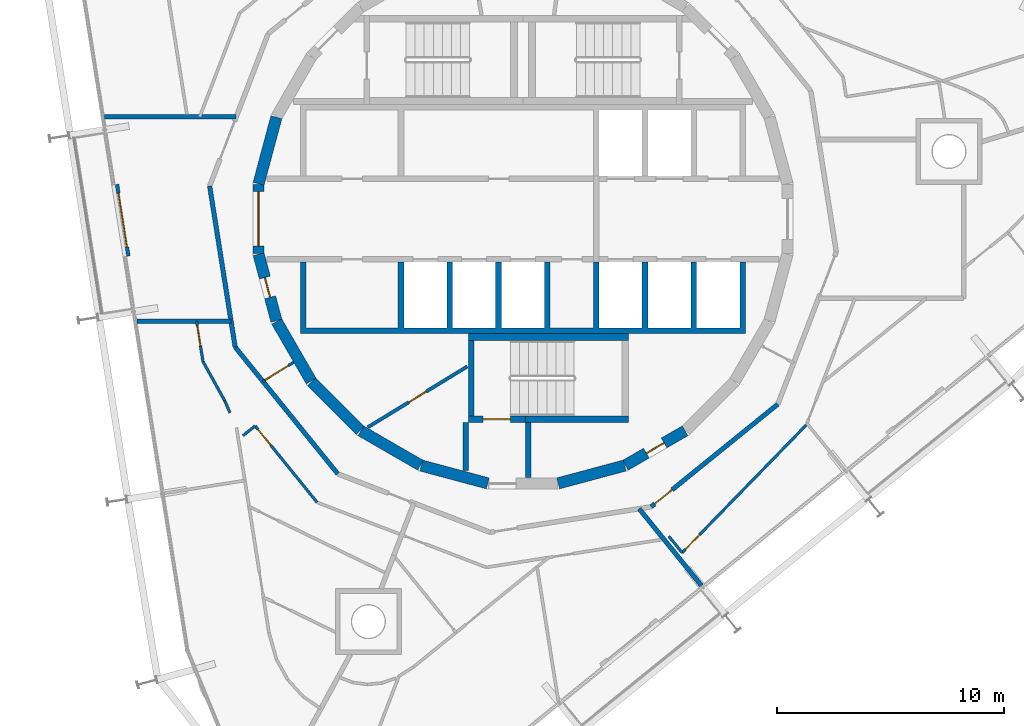
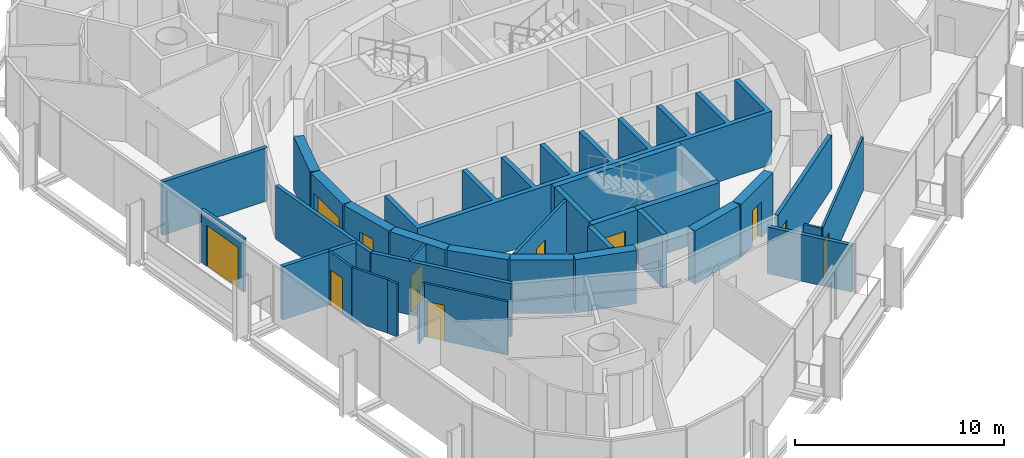
# One storey, part 12 of 17: 32 walls, 11 doors, 11 openings.
"""IFC4 building model written with IfcOpenShell, lengths in metres."""

from ifc_helpers import new_model, si_unit, direction, frame, frame_2d, origin, place, context, subcontext, project, spatial, polyline, rectangle, outline, extrude, material, layer, layer_set, type_object, element, fill, save


model = new_model("IFC4")

# Units and contexts
model_context = context("Model", 3, precision=1e-05, world=origin(), true_north=direction((0.0, 1.0)))
body_context = subcontext(model_context, "Body", "Model", "MODEL_VIEW")
ifc_project = project(units=[si_unit("LENGTHUNIT", "METRE"), si_unit("AREAUNIT", "SQUARE_METRE"), si_unit("VOLUMEUNIT", "CUBIC_METRE"), si_unit("PLANEANGLEUNIT", "RADIAN"), si_unit("MASSUNIT", "GRAM", prefix="KILO")], contexts=[model_context])

# Site, building, storey
site_placement = place(None, origin())
site = spatial("IfcSite", under=ifc_project, at=site_placement, CompositionType="ELEMENT")
building_placement = place(site_placement, origin())
building = spatial("IfcBuilding", under=site, at=building_placement, Name="Spindle Arch Residences", CompositionType="ELEMENT")
storey_placement = place(building_placement, frame((0.0, 0.0, 284.39990234375)))
storey = spatial("IfcBuildingStorey", under=building, at=storey_placement, Name="L73", CompositionType="ELEMENT", Elevation=284.39990234375)

# Wall
ifc_material_1 = material(Name="Concrete C50/60", Category="concrete")
ifc_layer_1 = layer(ifc_material_1, 0.5)
ifc_layer_set_1 = layer_set([ifc_layer_1], Name="Core outline wall 500")
wall_type_1 = type_object("IfcWallType", Name="Core outline wall 500", PredefinedType="SHEAR", material=ifc_layer_set_1)
wall_1_placement = place(storey_placement, frame((1.5498046875, -11.642822265625, 0.0), z_axis=(0.0, 0.0, 1.0), x_axis=(0.965948410781, 0.258734743916, 0.0)))
element("IfcWall", 1, at=wall_1_placement, inside=storey, type_object=wall_type_1, Name="Core outline wall 1", PredefinedType="SHEAR", context=body_context, shape_type="SweptSolid", body=[
    extrude(rectangle(XDim=3.03271484375, YDim=0.5, at=frame_2d((1.516357421875, 0.0))), origin(), (0.0, 0.0, 1.0), 3.1201171875),
])

# Wall, opening, door
wall_2_placement = place(storey_placement, frame((4.510498046875, -10.84521484375, 0.0), z_axis=(0.0, 0.0, 1.0), x_axis=(0.865975092491, 0.500087131594, 0.0)))
wall_2 = element("IfcWall", 2, at=wall_2_placement, inside=storey, type_object=wall_type_1, Name="Core outline wall 2", PredefinedType="SHEAR", context=body_context, shape_type="SweptSolid", body=[
    extrude(rectangle(XDim=3.03271484375, YDim=0.5, at=frame_2d((1.516357421875, 0.0))), origin(), (0.0, 0.0, 1.0), 3.1201171875),
])
opening_1_placement = place(wall_2_placement, frame((1.06640625, 0.0, 0.0)))
opening_1 = element("IfcOpeningElement", 3, at=opening_1_placement, cuts=wall_2, Name="Opening R7C0-WD09", PredefinedType="OPENING", context=body_context, shape_type="SweptSolid", body=[
    extrude(rectangle(XDim=0.89990234375, YDim=2.10009765625, at=frame_2d((0.449951171875, 1.050048828125))), frame((0.0, 0.260009765625, 0.0), z_axis=(0.0, -1.0, 0.0), x_axis=(1.0, 0.0, 0.0)), (0.0, 0.0, 1.0), 0.52001953125),
])
ifc_material_2 = material(Name="Steel, fire-resisting door", Category="steel")
door_type_1 = type_object("IfcDoorType", Name="Service room door 900x2100", OperationType="SINGLE_SWING_LEFT", PredefinedType="DOOR", material=ifc_material_2)
door_1_placement = place(opening_1_placement, origin())
door_1 = element("IfcDoor", 4, at=door_1_placement, inside=storey, type_object=door_type_1, Name="Service room door R7C0-WD09", OperationType="SINGLE_SWING_LEFT", OverallHeight=2.10009765625, OverallWidth=0.89990234375, PredefinedType="DOOR", context=body_context, shape_type="SweptSolid", body=[
    extrude(rectangle(XDim=0.89990234375, YDim=2.10009765625, at=frame_2d((0.449951171875, 1.050048828125))), frame((0.0, 0.02490234375, 0.0), z_axis=(0.0, -1.0, 0.0), x_axis=(1.0, 0.0, 0.0)), (0.0, 0.0, 1.0), 0.050048828125),
])
fill(opening_1, door_1)

# Wall
wall_3_placement = place(storey_placement, frame((-10.858154296875, 4.479248046875, 0.0), z_axis=(0.0, 0.0, 1.0), x_axis=(-0.258734743916, -0.965948410781, 0.0)))
element("IfcWall", 5, at=wall_3_placement, inside=storey, type_object=wall_type_1, Name="Core outline wall 17", PredefinedType="SHEAR", context=body_context, shape_type="SweptSolid", body=[
    extrude(rectangle(XDim=3.03271484375, YDim=0.5, at=frame_2d((1.516357421875, 0.0))), origin(), (0.0, 0.0, 1.0), 3.1201171875),
])

# Wall, opening, door
wall_4_placement = place(storey_placement, frame((-11.647216796875, 1.516357421875, 0.0), z_axis=(0.0, 0.0, 1.0), x_axis=(0.0, -1.0, 0.0)))
wall_4 = element("IfcWall", 6, at=wall_4_placement, inside=storey, type_object=wall_type_1, Name="Core outline wall 18", PredefinedType="SHEAR", context=body_context, shape_type="SweptSolid", body=[
    extrude(rectangle(XDim=3.03271484375, YDim=0.5, at=frame_2d((1.516357421875, 0.0))), origin(), (0.0, 0.0, 1.0), 3.1201171875),
])
opening_2_placement = place(wall_4_placement, frame((0.31640625, 0.0, 0.0)))
opening_2 = element("IfcOpeningElement", 7, at=opening_2_placement, cuts=wall_4, Name="Opening R7C0-LE01", PredefinedType="OPENING", context=body_context, shape_type="SweptSolid", body=[
    extrude(rectangle(XDim=2.39990234375, YDim=2.10009765625, at=frame_2d((1.199951171875, 1.050048828125))), frame((0.0, 0.260009765625, 0.0), z_axis=(0.0, -1.0, 0.0), x_axis=(1.0, 0.0, 0.0)), (0.0, 0.0, 1.0), 0.52001953125),
])
ifc_material_3 = material(Name="Steel, fire-resisting door", Category="steel")
door_type_2 = type_object("IfcDoorType", Name="Lift lobby entrance door 2400x2100", OperationType="DOUBLE_DOOR_SINGLE_SWING", PredefinedType="DOOR", material=ifc_material_3)
door_2_placement = place(opening_2_placement, origin())
door_2 = element("IfcDoor", 8, at=door_2_placement, inside=storey, type_object=door_type_2, Name="Lift lobby entrance door R7C0-LE01", OperationType="DOUBLE_DOOR_SINGLE_SWING", OverallHeight=2.10009765625, OverallWidth=2.39990234375, PredefinedType="DOOR", context=body_context, shape_type="SweptSolid", body=[
    extrude(rectangle(XDim=2.39990234375, YDim=2.10009765625, at=frame_2d((1.199951171875, 1.050048828125))), frame((0.0, 0.02490234375, 0.0), z_axis=(0.0, -1.0, 0.0), x_axis=(1.0, 0.0, 0.0)), (0.0, 0.0, 1.0), 0.050048828125),
])
fill(opening_2, door_2)

wall_5_placement = place(storey_placement, frame((-11.642822265625, -1.5498046875, 0.0), z_axis=(0.0, 0.0, 1.0), x_axis=(0.258734743916, -0.965948410781, 0.0)))
wall_5 = element("IfcWall", 9, at=wall_5_placement, inside=storey, type_object=wall_type_1, Name="Core outline wall 19", PredefinedType="SHEAR", context=body_context, shape_type="SweptSolid", body=[
    extrude(rectangle(XDim=3.03271484375, YDim=0.5, at=frame_2d((1.516357421875, 0.0))), origin(), (0.0, 0.0, 1.0), 3.1201171875),
])
opening_3_placement = place(wall_5_placement, frame((1.06640625, 0.0, 0.0)))
opening_3 = element("IfcOpeningElement", 10, at=opening_3_placement, cuts=wall_5, Name="Opening R7C0-WD10", PredefinedType="OPENING", context=body_context, shape_type="SweptSolid", body=[
    extrude(rectangle(XDim=0.89990234375, YDim=2.10009765625, at=frame_2d((0.449951171875, 1.050048828125))), frame((0.0, 0.260009765625, 0.0), z_axis=(0.0, -1.0, 0.0), x_axis=(1.0, 0.0, 0.0)), (0.0, 0.0, 1.0), 0.52001953125),
])
door_3_placement = place(opening_3_placement, origin())
door_3 = element("IfcDoor", 11, at=door_3_placement, inside=storey, type_object=door_type_1, Name="Service room door R7C0-WD10", OperationType="SINGLE_SWING_RIGHT", OverallHeight=2.10009765625, OverallWidth=0.89990234375, PredefinedType="DOOR", context=body_context, shape_type="SweptSolid", body=[
    extrude(rectangle(XDim=0.89990234375, YDim=2.10009765625, at=frame_2d((0.449951171875, 1.050048828125))), frame((0.0, 0.02490234375, 0.0), z_axis=(0.0, -1.0, 0.0), x_axis=(1.0, 0.0, 0.0)), (0.0, 0.0, 1.0), 0.050048828125),
])
fill(opening_3, door_3)

# Walls
wall_6_placement = place(storey_placement, frame((-10.84521484375, -4.510498046875, 0.0), z_axis=(0.0, 0.0, 1.0), x_axis=(0.500087131594, -0.865975092491, 0.0)))
element("IfcWall", 12, at=wall_6_placement, inside=storey, type_object=wall_type_1, Name="Core outline wall 20", PredefinedType="SHEAR", context=body_context, shape_type="SweptSolid", body=[
    extrude(rectangle(XDim=3.03271484375, YDim=0.5, at=frame_2d((1.516357421875, 0.0))), origin(), (0.0, 0.0, 1.0), 3.1201171875),
])
wall_7_placement = place(storey_placement, frame((-9.30810546875, -7.163818359375, 0.0), z_axis=(0.0, 0.0, 1.0), x_axis=(0.707106781187, -0.707106781187, 0.0)))
element("IfcWall", 13, at=wall_7_placement, inside=storey, type_object=wall_type_1, Name="Core outline wall 21", PredefinedType="SHEAR", context=body_context, shape_type="SweptSolid", body=[
    extrude(rectangle(XDim=3.032470703125, YDim=0.5, at=frame_2d((1.51611328125, 0.0))), origin(), (0.0, 0.0, 1.0), 3.1201171875),
])
for number, where, z_axis, x_axis, name in (
    (14, (-7.13671875, -9.32861328125, 0.0), (0.0, 0.0, 1.0), (0.865975092491, -0.500087131594, 0.0), "Core outline wall 22"),
    (15, (-4.479248046875, -10.858154296875, 0.0), (0.0, 0.0, 1.0), (0.965948410781, -0.258734743916, 0.0), "Core outline wall 23"),
):
    element("IfcWall", number, at=place(storey_placement, frame(where, z_axis=z_axis, x_axis=x_axis)), inside=storey, type_object=wall_type_1, Name=name, PredefinedType="SHEAR", context=body_context, shape_type="SweptSolid", body=[
        extrude(rectangle(XDim=3.03271484375, YDim=0.5, at=frame_2d((1.516357421875, 0.0))), origin(), (0.0, 0.0, 1.0), 3.1201171875),
    ])

# Wall, opening, door
ifc_material_4 = material(Name="Plasterboard on steel studs", Category="steel")
ifc_layer_2 = layer(ifc_material_4, 0.1201171875)
ifc_layer_set_2 = layer_set([ifc_layer_2], Name="Corridor division wall 120")
wall_type_2 = type_object("IfcWallType", Name="Corridor division wall 120", PredefinedType="PARTITIONING", material=ifc_layer_set_2)
wall_8_placement = place(storey_placement, frame((-11.44921875, -7.154296875, 0.0), z_axis=(0.0, 0.0, 1.0), x_axis=(0.848067047543, 0.529888934468, 0.0)))
wall_8 = element("IfcWall", 16, at=wall_8_placement, inside=storey, type_object=wall_type_2, Name="Corridor division wall R7C0-W003", PredefinedType="PARTITIONING", context=body_context, shape_type="SweptSolid", body=[
    extrude(rectangle(XDim=1.595947265625, YDim=0.1201171875, at=frame_2d((0.7978515625, 0.0))), origin(), (0.0, 0.0, 1.0), 3.1201171875),
])
opening_4_placement = place(wall_8_placement, frame((0.1201171875, 0.0, 0.0)))
opening_4 = element("IfcOpeningElement", 17, at=opening_4_placement, cuts=wall_8, Name="Opening R7C0-CD03", PredefinedType="OPENING", context=body_context, shape_type="SweptSolid", body=[
    extrude(rectangle(XDim=1.199951171875, YDim=2.10009765625, at=frame_2d((0.60009765625, 1.050048828125))), frame((0.0, 0.070068359375, 0.0), z_axis=(0.0, -1.0, 0.0), x_axis=(1.0, 0.0, 0.0)), (0.0, 0.0, 1.0), 0.14013671875),
])
ifc_material_5 = material(Name="Steel, fire-resisting door", Category="steel")
door_type_3 = type_object("IfcDoorType", Name="Corridor division door 1200x2100", OperationType="NOTDEFINED", PredefinedType="DOOR", material=ifc_material_5)
door_4_placement = place(opening_4_placement, origin())
door_4 = element("IfcDoor", 18, at=door_4_placement, inside=storey, type_object=door_type_3, Name="Corridor division door R7C0-CD03", OperationType="DOUBLE_DOOR_SINGLE_SWING", OverallHeight=2.10009765625, OverallWidth=1.199951171875, PredefinedType="DOOR", context=body_context, shape_type="SweptSolid", body=[
    extrude(rectangle(XDim=1.199951171875, YDim=2.10009765625, at=frame_2d((0.60009765625, 1.050048828125))), frame((0.0, 0.02490234375, 0.0), z_axis=(0.0, -1.0, 0.0), x_axis=(1.0, 0.0, 0.0)), (0.0, 0.0, 1.0), 0.050048828125),
])
fill(opening_4, door_4)

# Wall
ifc_material_6 = material(Name="Calcium silicate block, plastered")
ifc_layer_3 = layer(ifc_material_6, 0.199951171875)
ifc_layer_set_3 = layer_set([ifc_layer_3], Name="Corridor wall 200")
wall_type_3 = type_object("IfcWallType", Name="Corridor wall 200", PredefinedType="STANDARD", material=ifc_layer_set_3)
wall_9_placement = place(storey_placement, frame((-12.67333984375, -5.642578125, 0.0), z_axis=(0.0, 0.0, 1.0), x_axis=(0.629302871585, -0.777160148113, 0.0)))
element("IfcWall", 19, at=wall_9_placement, inside=storey, type_object=wall_type_3, Name="Corridor wall R7C0-W012", PredefinedType="STANDARD", context=body_context, shape_type="SweptSolid", body=[
    extrude(rectangle(XDim=7.180908203125, YDim=0.199951171875, at=frame_2d((3.59033203125, 0.0))), origin(), (0.0, 0.0, 1.0), 3.1201171875),
])

# Wall, opening, door
wall_10_placement = place(storey_placement, frame((5.642578125, -12.67333984375, 0.0), z_axis=(0.0, 0.0, 1.0), x_axis=(0.777160148113, 0.629302871585, 0.0)))
wall_10 = element("IfcWall", 20, at=wall_10_placement, inside=storey, type_object=wall_type_3, Name="Corridor wall R7C0-W015", PredefinedType="STANDARD", context=body_context, shape_type="SweptSolid", body=[
    extrude(rectangle(XDim=7.180908203125, YDim=0.199951171875, at=frame_2d((3.59033203125, 0.0))), origin(), (0.0, 0.0, 1.0), 3.1201171875),
])
opening_5_placement = place(wall_10_placement, frame((0.199951171875, 0.0, 0.0)))
opening_5 = element("IfcOpeningElement", 21, at=opening_5_placement, cuts=wall_10, Name="Opening R7C0-FD06", PredefinedType="OPENING", context=body_context, shape_type="SweptSolid", body=[
    extrude(rectangle(XDim=1.0, YDim=2.10009765625, at=frame_2d((0.5, 1.050048828125))), frame((0.0, 0.10986328125, 0.0), z_axis=(0.0, -1.0, 0.0), x_axis=(1.0, 0.0, 0.0)), (0.0, 0.0, 1.0), 0.219970703125),
])
ifc_material_7 = material(Name="Timber, fire-resisting door set", Category="wood")
door_type_4 = type_object("IfcDoorType", Name="Flat entrance door 1000x2100", OperationType="NOTDEFINED", PredefinedType="DOOR", material=ifc_material_7)
door_5_placement = place(opening_5_placement, origin())
door_5 = element("IfcDoor", 22, at=door_5_placement, inside=storey, type_object=door_type_4, Name="Flat entrance door R7C0-FD06", OperationType="SINGLE_SWING_LEFT", OverallHeight=2.10009765625, OverallWidth=1.0, PredefinedType="DOOR", context=body_context, shape_type="SweptSolid", body=[
    extrude(rectangle(XDim=1.0, YDim=2.10009765625, at=frame_2d((0.5, 1.050048828125))), frame((0.0, 0.02490234375, 0.0), z_axis=(0.0, -1.0, 0.0), x_axis=(1.0, 0.0, 0.0)), (0.0, 0.0, 1.0), 0.050048828125),
])
fill(opening_5, door_5)

ifc_material_8 = material(Name="Plasterboard on steel studs", Category="steel")
ifc_layer_4 = layer(ifc_material_8, 0.1201171875)
ifc_layer_set_4 = layer_set([ifc_layer_4], Name="Flat partition 120")
wall_type_4 = type_object("IfcWallType", Name="Flat partition 120", PredefinedType="PARTITIONING", material=ifc_layer_set_4)
wall_11_placement = place(storey_placement, frame((-14.373046875, -4.5, 0.0), z_axis=(0.0, 0.0, 1.0), x_axis=(0.156437152886, -0.987687914878, 0.0)))
wall_11 = element("IfcWall", 23, at=wall_11_placement, inside=storey, type_object=wall_type_4, Name="Flat partition R7C0-W067", PredefinedType="PARTITIONING", context=body_context, shape_type="SweptSolid", body=[
    extrude(rectangle(XDim=1.79638671875, YDim=0.1201171875, at=frame_2d((0.898193359375, 0.0))), origin(), (0.0, 0.0, 1.0), 3.1201171875),
])
opening_6_placement = place(wall_11_placement, frame((0.199951171875, 0.0, 0.0)))
opening_6 = element("IfcOpeningElement", 24, at=opening_6_placement, cuts=wall_11, Name="Opening R7C0-ID13", PredefinedType="OPENING", context=body_context, shape_type="SweptSolid", body=[
    extrude(rectangle(XDim=0.89990234375, YDim=2.10009765625, at=frame_2d((0.449951171875, 1.050048828125))), frame((0.0, 0.070068359375, 0.0), z_axis=(0.0, -1.0, 0.0), x_axis=(1.0, 0.0, 0.0)), (0.0, 0.0, 1.0), 0.14013671875),
])
ifc_material_9 = material(Name="Timber door set", Category="wood")
door_type_5 = type_object("IfcDoorType", Name="Room door 900x2100", OperationType="NOTDEFINED", PredefinedType="DOOR", material=ifc_material_9)
door_6_placement = place(opening_6_placement, origin())
door_6 = element("IfcDoor", 25, at=door_6_placement, inside=storey, type_object=door_type_5, Name="Room door R7C0-ID13", OperationType="SINGLE_SWING_RIGHT", OverallHeight=2.10009765625, OverallWidth=0.89990234375, PredefinedType="DOOR", context=body_context, shape_type="SweptSolid", body=[
    extrude(rectangle(XDim=0.89990234375, YDim=2.10009765625, at=frame_2d((0.449951171875, 1.050048828125))), frame((0.0, 0.02490234375, 0.0), z_axis=(0.0, -1.0, 0.0), x_axis=(1.0, 0.0, 0.0)), (0.0, 0.0, 1.0), 0.050048828125),
])
fill(opening_6, door_6)

# Walls
wall_12_placement = place(storey_placement, frame((-14.092041015625, -6.274169921875, 0.0), z_axis=(0.0, 0.0, 1.0), x_axis=(0.484732033151, -0.87466270987, 0.0)))
element("IfcWall", 26, at=wall_12_placement, inside=storey, type_object=wall_type_4, Name="Flat partition R7C0-W068", PredefinedType="PARTITIONING", context=body_context, shape_type="SweptSolid", body=[
    extrude(rectangle(XDim=1.98046875, YDim=0.1201171875, at=frame_2d((0.990234375, 0.0))), origin(), (0.0, 0.0, 1.0), 3.1201171875),
])
wall_13_placement = place(storey_placement, frame((-13.132080078125, -8.00634765625, 0.0), z_axis=(0.0, 0.0, 1.0), x_axis=(0.400176548656, -0.916438066596, 0.0)))
element("IfcWall", 27, at=wall_13_placement, inside=storey, type_object=wall_type_4, Name="Flat partition R7C0-W069", PredefinedType="PARTITIONING", context=body_context, shape_type="SweptSolid", body=[
    extrude(rectangle(XDim=0.578369140625, YDim=0.1201171875, at=frame_2d((0.2890625, 0.0))), origin(), (0.0, 0.0, 1.0), 3.1201171875),
])
wall_14_placement = place(storey_placement, frame((-12.32958984375, -9.544189453125, 0.0), z_axis=(0.0, 0.0, 1.0), x_axis=(0.777046524115, 0.629443166109, 0.0)))
element("IfcWall", 28, at=wall_14_placement, inside=storey, type_object=wall_type_4, Name="Flat partition R7C0-W070", PredefinedType="PARTITIONING", context=body_context, shape_type="SweptSolid", body=[
    extrude(rectangle(XDim=0.68798828125, YDim=0.1201171875, at=frame_2d((0.343994140625, 0.0))), origin(), (0.0, 0.0, 1.0), 3.1201171875),
])

# Wall, opening, door
wall_15_placement = place(storey_placement, frame((-11.794921875, -9.111083984375, 0.0), z_axis=(0.0, 0.0, 1.0), x_axis=(0.62936834401, -0.777107127466, 0.0)))
wall_15 = element("IfcWall", 29, at=wall_15_placement, inside=storey, type_object=wall_type_4, Name="Flat partition R7C0-W071", PredefinedType="PARTITIONING", context=body_context, shape_type="SweptSolid", body=[
    extrude(rectangle(XDim=4.33447265625, YDim=0.1201171875, at=frame_2d((2.167236328125, 0.0))), origin(), (0.0, 0.0, 1.0), 3.1201171875),
])
opening_7_placement = place(wall_15_placement, frame((0.199951171875, 0.0, 0.0)))
opening_7 = element("IfcOpeningElement", 30, at=opening_7_placement, cuts=wall_15, Name="Opening R7C0-ID14", PredefinedType="OPENING", context=body_context, shape_type="SweptSolid", body=[
    extrude(rectangle(XDim=0.89990234375, YDim=2.10009765625, at=frame_2d((0.449951171875, 1.050048828125))), frame((0.0, 0.070068359375, 0.0), z_axis=(0.0, -1.0, 0.0), x_axis=(1.0, 0.0, 0.0)), (0.0, 0.0, 1.0), 0.14013671875),
])
door_7_placement = place(opening_7_placement, origin())
door_7 = element("IfcDoor", 31, at=door_7_placement, inside=storey, type_object=door_type_5, Name="Room door R7C0-ID14", OperationType="SINGLE_SWING_RIGHT", OverallHeight=2.10009765625, OverallWidth=0.89990234375, PredefinedType="DOOR", context=body_context, shape_type="SweptSolid", body=[
    extrude(rectangle(XDim=0.89990234375, YDim=2.10009765625, at=frame_2d((0.449951171875, 1.050048828125))), frame((0.0, 0.02490234375, 0.0), z_axis=(0.0, -1.0, 0.0), x_axis=(1.0, 0.0, 0.0)), (0.0, 0.0, 1.0), 0.050048828125),
])
fill(opening_7, door_7)

# Wall
wall_16_placement = place(storey_placement, frame((6.423583984375, -13.97119140625, 0.0), z_axis=(0.0, 0.0, 1.0), x_axis=(0.629273936268, -0.777183577499, 0.0)))
element("IfcWall", 32, at=wall_16_placement, inside=storey, type_object=wall_type_4, Name="Flat partition R7C0-W091", PredefinedType="PARTITIONING", context=body_context, shape_type="SweptSolid", body=[
    extrude(rectangle(XDim=0.927734375, YDim=0.1201171875, at=frame_2d((0.4638671875, 0.0))), origin(), (0.0, 0.0, 1.0), 3.1201171875),
])

# Wall, opening, door
wall_17_placement = place(storey_placement, frame((7.00732421875, -14.692138671875, 0.0), z_axis=(0.0, 0.0, 1.0), x_axis=(0.697286714348, 0.716792325568, 0.0)))
wall_17 = element("IfcWall", 33, at=wall_17_placement, inside=storey, type_object=wall_type_4, Name="Flat partition R7C0-W092", PredefinedType="PARTITIONING", context=body_context, shape_type="SweptSolid", body=[
    extrude(rectangle(XDim=7.847900390625, YDim=0.1201171875, at=frame_2d((3.923828125, 0.0))), origin(), (0.0, 0.0, 1.0), 3.1201171875),
])
opening_8_placement = place(wall_17_placement, frame((0.199951171875, 0.0, 0.0)))
opening_8 = element("IfcOpeningElement", 34, at=opening_8_placement, cuts=wall_17, Name="Opening R7C0-ID21", PredefinedType="OPENING", context=body_context, shape_type="SweptSolid", body=[
    extrude(rectangle(XDim=0.89990234375, YDim=2.10009765625, at=frame_2d((0.449951171875, 1.050048828125))), frame((0.0, 0.070068359375, 0.0), z_axis=(0.0, -1.0, 0.0), x_axis=(1.0, 0.0, 0.0)), (0.0, 0.0, 1.0), 0.14013671875),
])
door_8_placement = place(opening_8_placement, origin())
door_8 = element("IfcDoor", 35, at=door_8_placement, inside=storey, type_object=door_type_5, Name="Room door R7C0-ID21", OperationType="SINGLE_SWING_LEFT", OverallHeight=2.10009765625, OverallWidth=0.89990234375, PredefinedType="DOOR", context=body_context, shape_type="SweptSolid", body=[
    extrude(rectangle(XDim=0.89990234375, YDim=2.10009765625, at=frame_2d((0.449951171875, 1.050048828125))), frame((0.0, 0.02490234375, 0.0), z_axis=(0.0, -1.0, 0.0), x_axis=(1.0, 0.0, 0.0)), (0.0, 0.0, 1.0), 0.050048828125),
])
fill(opening_8, door_8)

# Wall
ifc_material_10 = material(Name="Calcium silicate block, plastered")
ifc_layer_5 = layer(ifc_material_10, 0.199951171875)
ifc_layer_set_5 = layer_set([ifc_layer_5], Name="Flat party wall 200 under beam 2730")
wall_type_5 = type_object("IfcWallType", Name="Flat party wall 200 under beam 2730", PredefinedType="STANDARD", material=ifc_layer_set_5)
wall_18_placement = place(storey_placement, frame((7.860595703125, -16.1484375, 0.0), z_axis=(0.0, 0.0, 1.0), x_axis=(-0.629330189513, 0.777138026716, 0.0)))
element("IfcWall", 36, at=wall_18_placement, inside=storey, type_object=wall_type_5, Name="Flat party wall R7C0-W030", PredefinedType="STANDARD", context=body_context, shape_type="SweptSolid", body=[
    extrude(rectangle(XDim=4.364013671875, YDim=0.199951171875, at=frame_2d((2.18212890625, 0.0))), origin(), (0.0, 0.0, 1.0), 2.72998046875),
])

# Wall, opening, door
ifc_material_11 = material(Name="Non-combustible mineral wool insulated aluminium faced external wall (K0)", Category="aluminium")
ifc_layer_6 = layer(ifc_material_11, 0.159912109375)
ifc_layer_set_6 = layer_set([ifc_layer_6], Name="Insulated external wall panel 160")
wall_type_6 = type_object("IfcWallType", Name="Insulated external wall panel 160", PredefinedType="STANDARD", material=ifc_layer_set_6)
wall_19_placement = place(storey_placement, frame((-17.875244140625, 1.52490234375, 0.0), z_axis=(0.0, 0.0, 1.0), x_axis=(0.156413134305, -0.987691718816, 0.0)))
wall_19 = element("IfcWall", 37, at=wall_19_placement, inside=storey, type_object=wall_type_6, Name="External wall L73 bay 13", PredefinedType="STANDARD", context=body_context, shape_type="SweptSolid", body=[
    extrude(rectangle(XDim=3.19970703125, YDim=0.159912109375, at=frame_2d((1.599853515625, 0.0))), origin(), (0.0, 0.0, 1.0), 3.1201171875),
])
opening_9_placement = place(wall_19_placement, frame((0.39990234375, 0.0, 0.0)))
opening_9 = element("IfcOpeningElement", 38, at=opening_9_placement, cuts=wall_19, Name="Opening BD13", PredefinedType="OPENING", context=body_context, shape_type="SweptSolid", body=[
    extrude(rectangle(XDim=2.39990234375, YDim=2.39990234375, at=frame_2d((1.199951171875, 1.199951171875))), frame((0.0, 0.08984375, 0.0), z_axis=(0.0, -1.0, 0.0), x_axis=(1.0, 0.0, 0.0)), (0.0, 0.0, 1.0), 0.179931640625),
])
ifc_material_12 = material(Name="Bronze aluminium frame, tinted double glazing", Category="aluminium")
door_type_6 = type_object("IfcDoorType", Name="Sliding glazed balcony door 2400x2400", OperationType="DOUBLE_DOOR_SLIDING", PredefinedType="DOOR", material=ifc_material_12)
door_9_placement = place(opening_9_placement, origin())
door_9 = element("IfcDoor", 39, at=door_9_placement, inside=storey, type_object=door_type_6, Name="Balcony door BD13", OperationType="DOUBLE_DOOR_SLIDING", OverallHeight=2.39990234375, OverallWidth=2.39990234375, PredefinedType="DOOR", context=body_context, shape_type="SweptSolid", body=[
    extrude(rectangle(XDim=2.39990234375, YDim=2.39990234375, at=frame_2d((1.199951171875, 1.199951171875))), frame((0.0, 0.02490234375, 0.0), z_axis=(0.0, -1.0, 0.0), x_axis=(1.0, 0.0, 0.0)), (0.0, 0.0, 1.0), 0.050048828125),
])
fill(opening_9, door_9)

# Walls
ifc_material_13 = material(Name="Calcium silicate block, plastered")
ifc_layer_7 = layer(ifc_material_13, 0.199951171875)
ifc_layer_set_7 = layer_set([ifc_layer_7], Name="Lift lobby bay wall 200")
wall_type_7 = type_object("IfcWallType", Name="Lift lobby bay wall 200", PredefinedType="STANDARD", material=ifc_layer_set_7)
wall_20_placement = place(storey_placement, frame((-13.796630859375, 1.4501953125, 0.0), z_axis=(0.0, 0.0, 1.0), x_axis=(0.156421704315, -0.987690361611, 0.0)))
element("IfcWall", 40, at=wall_20_placement, inside=storey, type_object=wall_type_7, Name="Lift lobby bay wall R7C0-W010", PredefinedType="STANDARD", context=body_context, shape_type="SweptSolid", body=[
    extrude(rectangle(XDim=7.18115234375, YDim=0.199951171875, at=frame_2d((3.590576171875, 0.0))), origin(), (0.0, 0.0, 1.0), 3.1201171875),
])
wall_21_placement = place(storey_placement, frame((-12.6259765625, 4.5, 0.0), z_axis=(0.0, 0.0, 1.0), x_axis=(-1.0, 0.0, 0.0)))
element("IfcWall", 41, at=wall_21_placement, inside=storey, type_object=wall_type_7, Name="Lift lobby bay wall R7C0-W016", PredefinedType="STANDARD", context=body_context, shape_type="SweptSolid", body=[
    extrude(rectangle(XDim=5.801513671875, YDim=0.199951171875, at=frame_2d((2.90087890625, 0.0))), origin(), (0.0, 0.0, 1.0), 3.1201171875),
])
wall_22_placement = place(storey_placement, frame((-17.001953125, -4.5, 0.0), z_axis=(0.0, 0.0, 1.0), x_axis=(1.0, 0.0, 0.0)))
element("IfcWall", 42, at=wall_22_placement, inside=storey, type_object=wall_type_7, Name="Lift lobby bay wall R7C0-W017", PredefinedType="STANDARD", context=body_context, shape_type="SweptSolid", body=[
    extrude(rectangle(XDim=4.147705078125, YDim=0.199951171875, at=frame_2d((2.07373046875, 0.0))), origin(), (0.0, 0.0, 1.0), 3.1201171875),
])
ifc_material_14 = material(Name="Concrete C50/60", Category="concrete")
wall_type_8 = type_object("IfcWallType", Name="Lift shaft wall profile", PredefinedType="SHEAR", material=ifc_material_14)
wall_23_placement = place(storey_placement, origin())
element("IfcWall", 43, at=wall_23_placement, inside=storey, type_object=wall_type_8, Name="Lift shaft walls S", PredefinedType="SHEAR", context=body_context, shape_type="SweptSolid", body=[
    extrude(outline(polyline([(9.800048828125, -5.050048828125), (9.800048828125, -4.800048828125), (9.800048828125, -1.89990234375), (9.550048828125, -1.89990234375), (9.550048828125, -4.800048828125), (7.64990234375, -4.800048828125), (7.64990234375, -1.89990234375), (7.39990234375, -1.89990234375), (7.39990234375, -4.800048828125), (5.5, -4.800048828125), (5.5, -1.89990234375), (5.25, -1.89990234375), (5.25, -4.800048828125), (3.35009765625, -4.800048828125), (3.35009765625, -1.89990234375), (3.10009765625, -1.89990234375), (3.10009765625, -4.800048828125), (1.199951171875, -4.800048828125), (1.199951171875, -1.89990234375), (0.949951171875, -1.89990234375), (0.949951171875, -4.800048828125), (-0.949951171875, -4.800048828125), (-0.949951171875, -1.89990234375), (-1.199951171875, -1.89990234375), (-1.199951171875, -4.800048828125), (-3.10009765625, -4.800048828125), (-3.10009765625, -1.89990234375), (-3.35009765625, -1.89990234375), (-3.35009765625, -4.800048828125), (-5.25, -4.800048828125), (-5.25, -1.89990234375), (-5.5, -1.89990234375), (-5.5, -4.800048828125), (-9.550048828125, -4.800048828125), (-9.550048828125, -1.89990234375), (-9.800048828125, -1.89990234375), (-9.800048828125, -4.800048828125), (-9.800048828125, -5.050048828125), (9.800048828125, -5.050048828125)])), origin(), (0.0, 0.0, 1.0), 3.1201171875),
])

# Wall, opening, door
ifc_material_15 = material(Name="Concrete C25/30", Category="concrete")
ifc_layer_8 = layer(ifc_material_15, 0.14990234375)
ifc_layer_set_8 = layer_set([ifc_layer_8], Name="Service room partition 150")
wall_type_9 = type_object("IfcWallType", Name="Service room partition 150", PredefinedType="PARTITIONING", material=ifc_layer_set_8)
wall_24_placement = place(storey_placement, frame((-2.451171875, -6.49462890625, 0.0), z_axis=(0.0, 0.0, 1.0), x_axis=(-0.853250115418, -0.521501908471, 0.0)))
wall_24 = element("IfcWall", 44, at=wall_24_placement, inside=storey, type_object=wall_type_9, Name="Core service room partition", PredefinedType="PARTITIONING", context=body_context, shape_type="SweptSolid", body=[
    extrude(rectangle(XDim=5.137451171875, YDim=0.14990234375, at=frame_2d((2.56884765625, 0.0))), origin(), (0.0, 0.0, 1.0), 3.1201171875),
])
opening_10_placement = place(wall_24_placement, frame((2.11865234375, 0.0, 0.0)))
opening_10 = element("IfcOpeningElement", 45, at=opening_10_placement, cuts=wall_24, Name="Opening R7C0-WD06", PredefinedType="OPENING", context=body_context, shape_type="SweptSolid", body=[
    extrude(rectangle(XDim=0.89990234375, YDim=2.10009765625, at=frame_2d((0.449951171875, 1.050048828125))), frame((0.0, 0.0849609375, 0.0), z_axis=(0.0, -1.0, 0.0), x_axis=(1.0, 0.0, 0.0)), (0.0, 0.0, 1.0), 0.169921875),
])
door_10_placement = place(opening_10_placement, origin())
door_10 = element("IfcDoor", 46, at=door_10_placement, inside=storey, type_object=door_type_1, Name="Service room door R7C0-WD06", OperationType="SINGLE_SWING_RIGHT", OverallHeight=2.10009765625, OverallWidth=0.89990234375, PredefinedType="DOOR", context=body_context, shape_type="SweptSolid", body=[
    extrude(rectangle(XDim=0.89990234375, YDim=2.10009765625, at=frame_2d((0.449951171875, 1.050048828125))), frame((0.0, 0.02490234375, 0.0), z_axis=(0.0, -1.0, 0.0), x_axis=(1.0, 0.0, 0.0)), (0.0, 0.0, 1.0), 0.050048828125),
])
fill(opening_10, door_10)

# Walls
ifc_material_16 = material(Name="Concrete C40/50", Category="concrete")
ifc_layer_9 = layer(ifc_material_16, 0.25)
ifc_layer_set_9 = layer_set([ifc_layer_9], Name="Stair airlock wall 250")
wall_type_10 = type_object("IfcWallType", Name="Stair airlock wall 250", PredefinedType="SHEAR", material=ifc_layer_set_9)
wall_25_placement = place(storey_placement, frame((-2.52490234375, -8.969970703125, 0.0), z_axis=(0.0, 0.0, 1.0), x_axis=(0.0, -1.0, 0.0)))
element("IfcWall", 47, at=wall_25_placement, inside=storey, type_object=wall_type_10, Name="Stair ST-3 airlock wall W", PredefinedType="SHEAR", context=body_context, shape_type="SweptSolid", body=[
    extrude(rectangle(XDim=2.110107421875, YDim=0.25, at=frame_2d((1.05517578125, 0.0))), origin(), (0.0, 0.0, 1.0), 3.1201171875),
])
wall_26_placement = place(storey_placement, frame((0.22509765625, -8.969970703125, 0.0), z_axis=(0.0, 0.0, 1.0), x_axis=(0.0, -1.0, 0.0)))
element("IfcWall", 48, at=wall_26_placement, inside=storey, type_object=wall_type_10, Name="Stair ST-3 airlock wall E", PredefinedType="SHEAR", context=body_context, shape_type="SweptSolid", body=[
    extrude(rectangle(XDim=2.409912109375, YDim=0.25, at=frame_2d((1.205078125, 0.0))), origin(), (0.0, 0.0, 1.0), 3.1201171875),
])
ifc_material_17 = material(Name="Concrete C50/60", Category="concrete")
ifc_layer_10 = layer(ifc_material_17, 0.25)
ifc_layer_set_10 = layer_set([ifc_layer_10], Name="Stair enclosure wall 250")
wall_type_11 = type_object("IfcWallType", Name="Stair enclosure wall 250", PredefinedType="SHEAR", material=ifc_layer_set_10)
wall_27_placement = place(storey_placement, frame((-2.27490234375, -8.669921875, 0.0), z_axis=(0.0, 0.0, 1.0), x_axis=(0.0, 1.0, 0.0)))
element("IfcWall", 49, at=wall_27_placement, inside=storey, type_object=wall_type_11, Name="Stair ST-3 enclosure wall W", PredefinedType="SHEAR", context=body_context, shape_type="SweptSolid", body=[
    extrude(rectangle(XDim=3.31982421875, YDim=0.25, at=frame_2d((1.659912109375, 0.0))), origin(), (0.0, 0.0, 1.0), 3.1201171875),
])
ifc_material_18 = material(Name="Concrete C50/60", Category="concrete")
ifc_layer_11 = layer(ifc_material_18, 0.300048828125)
ifc_layer_set_11 = layer_set([ifc_layer_11], Name="Stair enclosure wall 300")
wall_type_12 = type_object("IfcWallType", Name="Stair enclosure wall 300", PredefinedType="SHEAR", material=ifc_layer_set_11)
wall_28_placement = place(storey_placement, frame((-2.39990234375, -5.199951171875, 0.0), z_axis=(0.0, 0.0, 1.0), x_axis=(1.0, 0.0, 0.0)))
element("IfcWall", 50, at=wall_28_placement, inside=storey, type_object=wall_type_12, Name="Stair ST-3 enclosure wall N", PredefinedType="SHEAR", context=body_context, shape_type="SweptSolid", body=[
    extrude(rectangle(XDim=7.0498046875, YDim=0.300048828125, at=frame_2d((3.52490234375, 0.0))), origin(), (0.0, 0.0, 1.0), 3.1201171875),
])
wall_29_placement = place(storey_placement, frame((0.10009765625, -8.820068359375, 0.0), z_axis=(0.0, 0.0, 1.0), x_axis=(1.0, 0.0, 0.0)))
element("IfcWall", 51, at=wall_29_placement, inside=storey, type_object=wall_type_12, Name="Stair ST-3 enclosure wall S", PredefinedType="SHEAR", context=body_context, shape_type="SweptSolid", body=[
    extrude(rectangle(XDim=4.5498046875, YDim=0.300048828125, at=frame_2d((2.27490234375, 0.0))), origin(), (0.0, 0.0, 1.0), 3.1201171875),
])

# Wall, opening, door
wall_30_placement = place(storey_placement, frame((-2.39990234375, -8.820068359375, 0.0), z_axis=(0.0, 0.0, 1.0), x_axis=(1.0, 0.0, 0.0)))
wall_30 = element("IfcWall", 52, at=wall_30_placement, inside=storey, type_object=wall_type_12, Name="Stair ST-3 door wall", PredefinedType="SHEAR", context=body_context, shape_type="SweptSolid", body=[
    extrude(rectangle(XDim=2.5, YDim=0.300048828125, at=frame_2d((1.25, 0.0))), origin(), (0.0, 0.0, 1.0), 3.1201171875),
])
opening_11_placement = place(wall_30_placement, frame((0.64990234375, 0.0, 0.0)))
opening_11 = element("IfcOpeningElement", 53, at=opening_11_placement, cuts=wall_30, Name="Opening R7C0-SD03", PredefinedType="OPENING", context=body_context, shape_type="SweptSolid", body=[
    extrude(rectangle(XDim=1.199951171875, YDim=2.10009765625, at=frame_2d((0.60009765625, 1.050048828125))), frame((0.0, 0.16015625, 0.0), z_axis=(0.0, -1.0, 0.0), x_axis=(1.0, 0.0, 0.0)), (0.0, 0.0, 1.0), 0.320068359375),
])
ifc_material_19 = material(Name="Steel, fire-resisting door", Category="steel")
door_type_7 = type_object("IfcDoorType", Name="Stair door 1200x2100", OperationType="SINGLE_SWING_RIGHT", PredefinedType="DOOR", material=ifc_material_19)
door_11_placement = place(opening_11_placement, origin())
door_11 = element("IfcDoor", 54, at=door_11_placement, inside=storey, type_object=door_type_7, Name="Stair door R7C0-SD03", OperationType="SINGLE_SWING_LEFT", OverallHeight=2.10009765625, OverallWidth=1.199951171875, PredefinedType="DOOR", context=body_context, shape_type="SweptSolid", body=[
    extrude(rectangle(XDim=1.199951171875, YDim=2.10009765625, at=frame_2d((0.60009765625, 1.050048828125))), frame((0.0, 0.02490234375, 0.0), z_axis=(0.0, -1.0, 0.0), x_axis=(1.0, 0.0, 0.0)), (0.0, 0.0, 1.0), 0.050048828125),
])
fill(opening_11, door_11)

save(model, "model.ifc")
